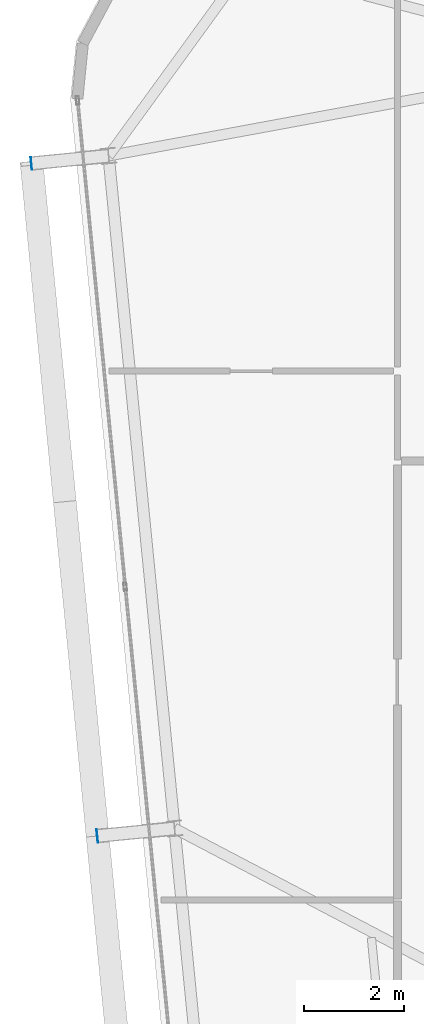
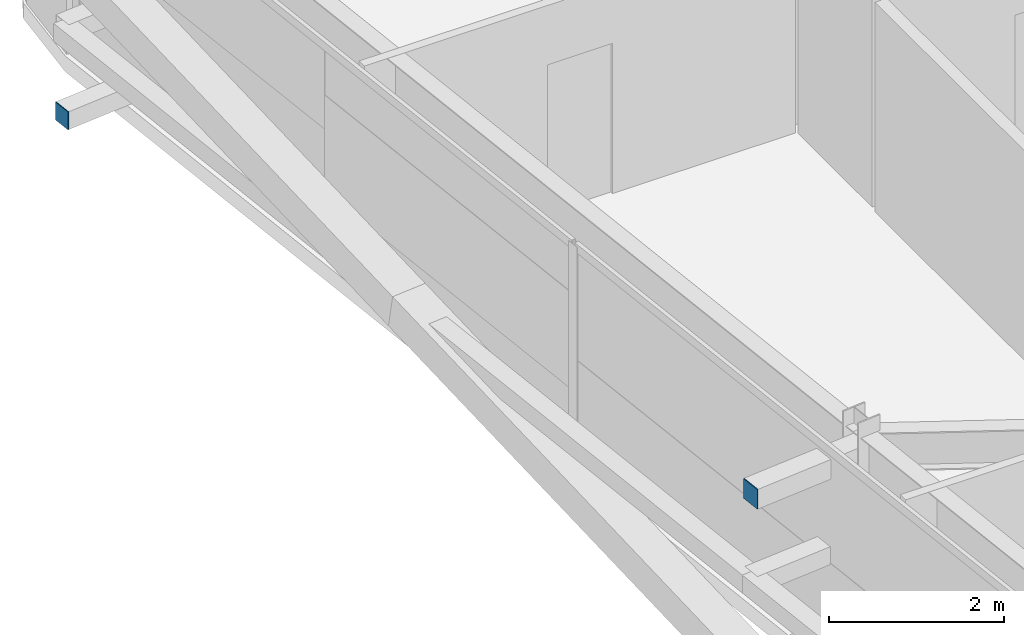
# One storey, part 35 of 47: 2 plates.
"""IFC4 building model written with IfcOpenShell, lengths in metres."""

from ifc_helpers import new_model, si_unit, direction, frame, origin, origin_2d, place, context, subcontext, project, spatial, rectangle, extrude, source, transform, mapped, material, layer, layer_set, type_object, element, save


model = new_model("IFC4")

# Units and contexts
model_context = context("Model", 3, precision=1e-05, world=origin(), true_north=direction((0.0, 1.0)))
body_context = subcontext(model_context, "Body", "Model", "MODEL_VIEW")
ifc_project = project(units=[si_unit("LENGTHUNIT", "METRE"), si_unit("AREAUNIT", "SQUARE_METRE"), si_unit("VOLUMEUNIT", "CUBIC_METRE"), si_unit("PLANEANGLEUNIT", "RADIAN"), si_unit("MASSUNIT", "GRAM", prefix="KILO")], contexts=[model_context])

# Site, building, storey
site_placement = place(None, origin())
site = spatial("IfcSite", under=ifc_project, at=site_placement, CompositionType="ELEMENT")
building_placement = place(site_placement, origin())
building = spatial("IfcBuilding", under=site, at=building_placement, Name="Taldren Reach Tower", CompositionType="ELEMENT")
storey_placement = place(building_placement, frame((0.0, 0.0, 90.300048828125)))
storey = spatial("IfcBuildingStorey", under=building, at=storey_placement, Name="L27", CompositionType="ELEMENT", Elevation=90.300048828125)

# Plates
ifc_material_1 = material(Name="Steel Gr 450 (C450L0)", Category="steel")
ifc_layer_1 = layer(ifc_material_1, 0.011962890625)
ifc_layer_set_1 = layer_set([ifc_layer_1], Name="Steel Gr 450 (C450L0)")
plate_type_1 = type_object("IfcPlateType", Name="PL-CAP-275", PredefinedType="SHEET", material=ifc_layer_set_1)
shared_shape_1 = source(origin(), body_context, "Body", "SweptSolid", [
    extrude(rectangle(XDim=0.011962890625, YDim=0.27490234375, at=origin_2d()), origin(), (0.0, 0.0, 1.0), 0.27490234375),
])
plate_1_placement = place(storey_placement, frame((8.58203125, 16.479248046875, 2.512451171875), z_axis=(0.0, 0.0, 1.0), x_axis=(0.995227399982, 0.097582899759, 0.0)))
element("IfcPlate", 1, at=plate_1_placement, inside=storey, type_object=plate_type_1, Name="Tie strut end cap plate B2-W2 L27", PredefinedType="SHEET", context=body_context, shape_type="MappedRepresentation", body=[
    mapped(shared_shape_1, transform((0.0, 0.0, 0.0), scale=1.0)),
])
ifc_material_2 = material(Name="Steel Gr 350 (C350L0)", Category="steel")
ifc_layer_2 = layer(ifc_material_2, 0.011962890625)
ifc_layer_set_2 = layer_set([ifc_layer_2], Name="Steel Gr 350 (C350L0)")
plate_type_2 = type_object("IfcPlateType", Name="PL-CAP-250", PredefinedType="SHEET", material=ifc_layer_set_2)
shared_shape_2 = source(origin(), body_context, "Body", "SweptSolid", [
    extrude(rectangle(XDim=0.011962890625, YDim=0.25, at=origin_2d()), origin(), (0.0, 0.0, 1.0), 0.25),
])
plate_2_placement = place(storey_placement, frame((7.259765625, 29.964599609375, 0.094970703125), z_axis=(0.0, 0.0, 1.0), x_axis=(0.995227399982, 0.097582899759, 0.0)))
element("IfcPlate", 2, at=plate_2_placement, inside=storey, type_object=plate_type_2, Name="Tie strut end cap plate B2-W3 L27", PredefinedType="SHEET", context=body_context, shape_type="MappedRepresentation", body=[
    mapped(shared_shape_2, transform((0.0, 0.0, 0.0), scale=1.0)),
])

save(model, "model.ifc")
